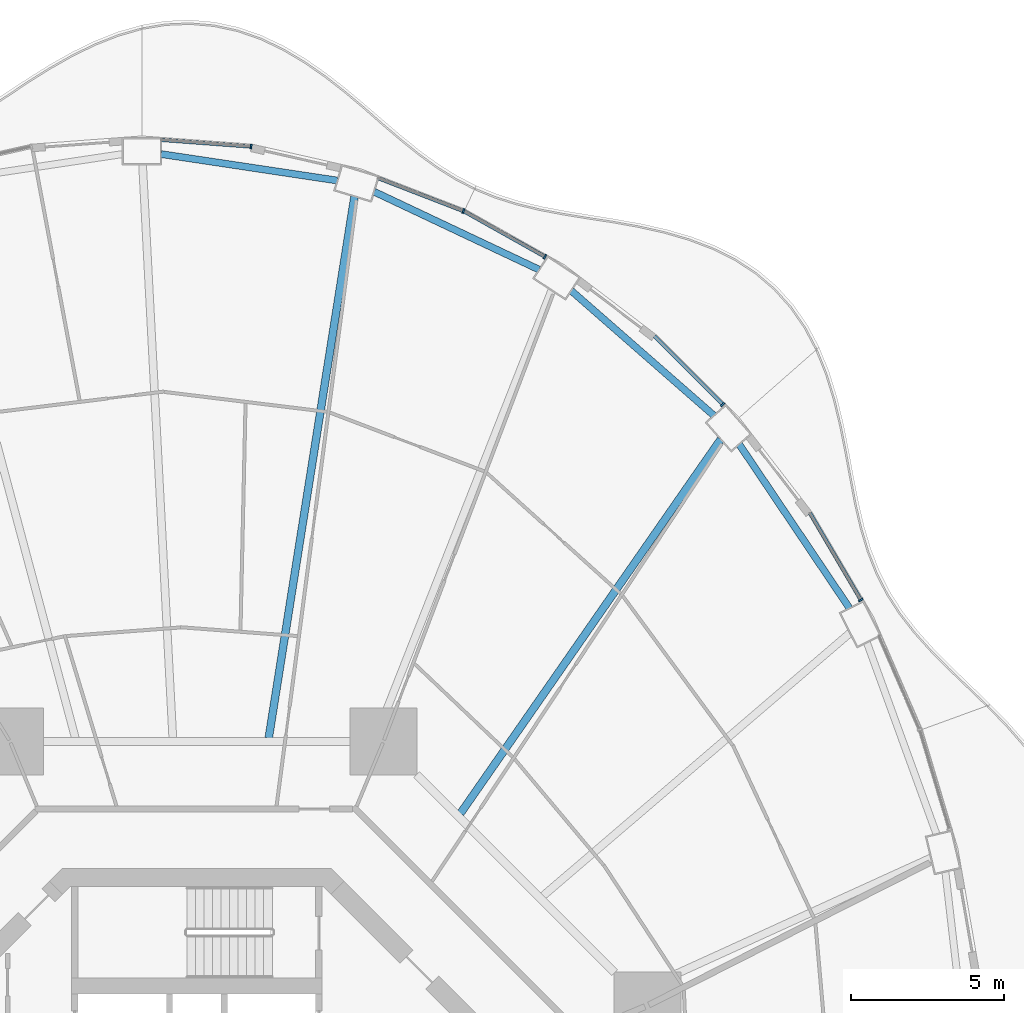
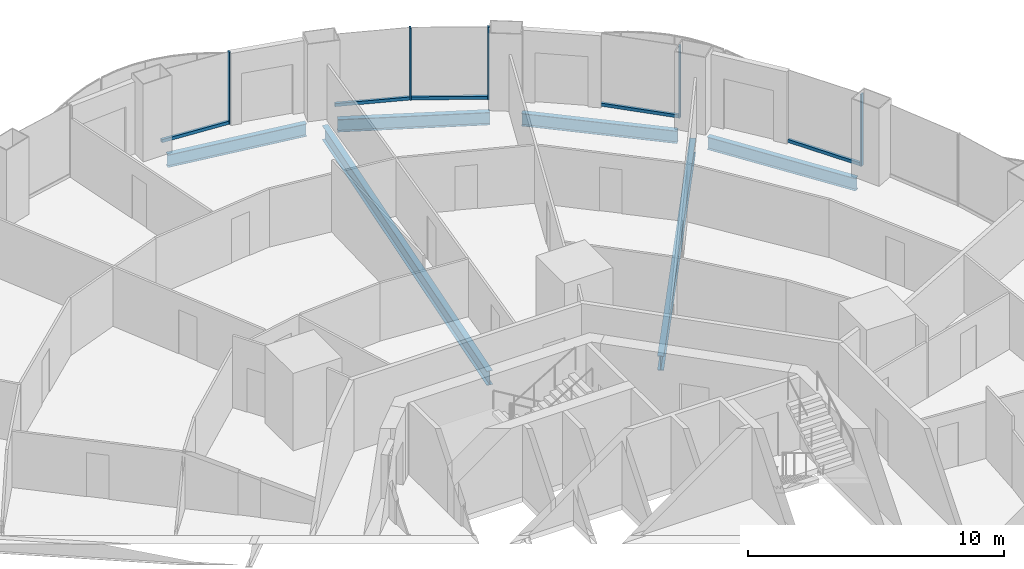
# One storey, part 11 of 22: 10 members, 6 beams, 5 elements without a shape of their own.
"""IFC4 building model written with IfcOpenShell, lengths in metres."""

from ifc_helpers import new_model, si_unit, direction, frame, origin, origin_2d, place, context, subcontext, project, spatial, rectangle, i_section, extrude, material, layer, layer_set, material_profile, profile_set, type_object, element, aggregate, save


model = new_model("IFC4")

# Units and contexts
model_context = context("Model", 3, precision=1e-05, world=origin(), true_north=direction((0.0, 1.0)))
body_context = subcontext(model_context, "Body", "Model", "MODEL_VIEW")
ifc_project = project(units=[si_unit("LENGTHUNIT", "METRE"), si_unit("AREAUNIT", "SQUARE_METRE"), si_unit("VOLUMEUNIT", "CUBIC_METRE"), si_unit("PLANEANGLEUNIT", "RADIAN"), si_unit("MASSUNIT", "GRAM", prefix="KILO")], contexts=[model_context])

# Site, building, storey
site_placement = place(None, origin())
site = spatial("IfcSite", under=ifc_project, at=site_placement, CompositionType="ELEMENT")
building_placement = place(site_placement, origin())
building = spatial("IfcBuilding", under=site, at=building_placement, Name="Nagisa Residences", CompositionType="ELEMENT")
storey_placement = place(building_placement, frame((0.0, 0.0, 77.0)))
storey = spatial("IfcBuildingStorey", under=building, at=storey_placement, Name="L18", CompositionType="ELEMENT", Elevation=77.0)

# Curtain wall, member
ifc_material_1 = material(Name="Concrete-coloured aluminium curtain wall system", Category="concrete")
ifc_layer = layer(ifc_material_1, 0.159912109375)
ifc_layer_set = layer_set([ifc_layer], Name="CW1 CURTAIN WALL")
curtain_wall_type = type_object("IfcCurtainWallType", Name="CW1 CURTAIN WALL", PredefinedType="NOTDEFINED", material=ifc_layer_set)
curtain_wall_1_placement = place(storey_placement, origin())
curtain_wall_1 = element("IfcCurtainWall", 1, at=curtain_wall_1_placement, inside=storey, type_object=curtain_wall_type, Name="cw:CW1:L18:04", PredefinedType="NOTDEFINED")
ifc_material_2 = material(Name="Concrete-coloured aluminium", Category="concrete")
ifc_material_profile_1 = material_profile(ifc_material_2, rectangle(XDim=0.159912109375, YDim=0.06005859375, at=origin_2d()), Name="CW1 MULLION 160x60")
ifc_profile_set_1 = profile_set([ifc_material_profile_1], Name="Concrete-coloured aluminium")
member_type_1 = type_object("IfcMemberType", Name="CW1 MULLION 160x60", PredefinedType="MULLION", material=ifc_profile_set_1)
member_1_placement = place(storey_placement, frame((21.771240234375, 19.421142578125, 0.0), z_axis=(0.0, 0.0, 1.0), x_axis=(-0.862328898214, -0.506348567002, 0.0)))
member_1 = element("IfcMember", 2, at=member_1_placement, type_object=member_type_1, Name="CW1 mullion", PredefinedType="MULLION", context=body_context, shape_type="SweptSolid", body=[
    extrude(rectangle(XDim=0.159912109375, YDim=0.06005859375, at=origin_2d()), origin(), (0.0, 0.0, 1.0), 3.43994140625),
])

curtain_wall_2_placement = place(storey_placement, origin())
curtain_wall_2 = element("IfcCurtainWall", 3, at=curtain_wall_2_placement, inside=storey, type_object=curtain_wall_type, Name="cw:CW1:L18:06", PredefinedType="NOTDEFINED")
member_2_placement = place(storey_placement, frame((17.24560546875, 25.825927734375, 0.0), z_axis=(0.0, 0.0, 1.0), x_axis=(-0.706376885714, -0.707835924016, 0.0)))
member_2 = element("IfcMember", 4, at=member_2_placement, type_object=member_type_1, Name="CW1 mullion", PredefinedType="MULLION", context=body_context, shape_type="SweptSolid", body=[
    extrude(rectangle(XDim=0.159912109375, YDim=0.06005859375, at=origin_2d()), origin(), (0.0, 0.0, 1.0), 3.43994140625),
])

curtain_wall_3_placement = place(storey_placement, origin())
curtain_wall_3 = element("IfcCurtainWall", 5, at=curtain_wall_3_placement, inside=storey, type_object=curtain_wall_type, Name="cw:CW1:L18:08", PredefinedType="NOTDEFINED")
member_3_placement = place(storey_placement, frame((11.415283203125, 30.673583984375, 0.0), z_axis=(0.0, 0.0, 1.0), x_axis=(-0.489376918501, -0.872072377523, 0.0)))
member_3 = element("IfcMember", 6, at=member_3_placement, type_object=member_type_1, Name="CW1 mullion", PredefinedType="MULLION", context=body_context, shape_type="SweptSolid", body=[
    extrude(rectangle(XDim=0.159912109375, YDim=0.06005859375, at=origin_2d()), origin(), (0.0, 0.0, 1.0), 3.43994140625),
])

curtain_wall_4_placement = place(storey_placement, origin())
curtain_wall_4 = element("IfcCurtainWall", 7, at=curtain_wall_4_placement, inside=storey, type_object=curtain_wall_type, Name="cw:CW1:L18:09", PredefinedType="NOTDEFINED")
member_4_placement = place(storey_placement, frame((8.74169921875, 32.169921875, 0.0), z_axis=(0.0, 0.0, 1.0), x_axis=(-0.360327770268, -0.932825759707, 0.0)))
member_4 = element("IfcMember", 8, at=member_4_placement, type_object=member_type_1, Name="CW1 mullion", PredefinedType="MULLION", context=body_context, shape_type="SweptSolid", body=[
    extrude(rectangle(XDim=0.159912109375, YDim=0.06005859375, at=origin_2d()), origin(), (0.0, 0.0, 1.0), 3.43994140625),
])

curtain_wall_5_placement = place(storey_placement, origin())
curtain_wall_5 = element("IfcCurtainWall", 9, at=curtain_wall_5_placement, inside=storey, type_object=curtain_wall_type, Name="cw:CW1:L18:11", PredefinedType="NOTDEFINED")
member_5_placement = place(storey_placement, frame((1.779052734375, 34.28564453125, 0.0), z_axis=(0.0, 0.0, 1.0), x_axis=(-0.074377355493, -0.997230168512, 0.0)))
member_5 = element("IfcMember", 10, at=member_5_placement, type_object=member_type_1, Name="CW1 mullion", PredefinedType="MULLION", context=body_context, shape_type="SweptSolid", body=[
    extrude(rectangle(XDim=0.159912109375, YDim=0.06005859375, at=origin_2d()), origin(), (0.0, 0.0, 1.0), 3.43994140625),
])

# Member
ifc_material_3 = material(Name="Concrete-coloured aluminium", Category="concrete")
ifc_material_profile_2 = material_profile(ifc_material_3, rectangle(XDim=0.1201171875, YDim=0.14990234375, at=origin_2d()), Name="CW1 TRANSOM 120x150")
ifc_profile_set_2 = profile_set([ifc_material_profile_2], Name="Concrete-coloured aluminium")
member_type_2 = type_object("IfcMemberType", Name="CW1 TRANSOM 120x150", PredefinedType="USERDEFINED", material=ifc_profile_set_2)
member_6_placement = place(storey_placement, frame((21.786376953125, 19.395263671875, 0.074951171875), z_axis=(-0.506329983076, 0.86233981019, 0.0), x_axis=(-0.86233981019, -0.506329983076, 0.0)))
member_6 = element("IfcMember", 11, at=member_6_placement, type_object=member_type_2, Name="CW1 transom", ObjectType="TRANSOM", PredefinedType="USERDEFINED", context=body_context, shape_type="SweptSolid", body=[
    extrude(rectangle(XDim=0.1201171875, YDim=0.14990234375, at=origin_2d()), origin(), (0.0, 0.0, 1.0), 3.32470703125),
])

aggregate(curtain_wall_1, [member_1, member_6])

member_7_placement = place(storey_placement, frame((17.2666015625, 25.8046875, 0.074951171875), z_axis=(-0.707831724839, 0.70638109354, 0.0), x_axis=(-0.70638109354, -0.707831724839, 0.0)))
member_7 = element("IfcMember", 12, at=member_7_placement, type_object=member_type_2, Name="CW1 transom", ObjectType="TRANSOM", PredefinedType="USERDEFINED", context=body_context, shape_type="SweptSolid", body=[
    extrude(rectangle(XDim=0.1201171875, YDim=0.14990234375, at=origin_2d()), origin(), (0.0, 0.0, 1.0), 3.19775390625),
])

aggregate(curtain_wall_2, [member_2, member_7])

member_8_placement = place(storey_placement, frame((11.44140625, 30.65869140625, 0.074951171875), z_axis=(-0.872037280335, 0.489439456631, 0.0), x_axis=(-0.489439456631, -0.872037280335, 0.0)))
member_8 = element("IfcMember", 13, at=member_8_placement, type_object=member_type_2, Name="CW1 transom", ObjectType="TRANSOM", PredefinedType="USERDEFINED", context=body_context, shape_type="SweptSolid", body=[
    extrude(rectangle(XDim=0.1201171875, YDim=0.14990234375, at=origin_2d()), origin(), (0.0, 0.0, 1.0), 3.07568359375),
])

aggregate(curtain_wall_3, [member_3, member_8])

member_9_placement = place(storey_placement, frame((8.76953125, 32.1591796875, 0.074951171875), z_axis=(-0.932827091302, 0.360324322982, 0.0), x_axis=(-0.360324322982, -0.932827091302, 0.0)))
member_9 = element("IfcMember", 14, at=member_9_placement, type_object=member_type_2, Name="CW1 transom", ObjectType="TRANSOM", PredefinedType="USERDEFINED", context=body_context, shape_type="SweptSolid", body=[
    extrude(rectangle(XDim=0.1201171875, YDim=0.14990234375, at=origin_2d()), origin(), (0.0, 0.0, 1.0), 3.02734375),
])

aggregate(curtain_wall_4, [member_4, member_9])

member_10_placement = place(storey_placement, frame((1.80908203125, 34.283203125, 0.074951171875), z_axis=(-0.997226174467, 0.074430887117, 0.0), x_axis=(-0.074430887117, -0.997226174467, 0.0)))
member_10 = element("IfcMember", 15, at=member_10_placement, type_object=member_type_2, Name="CW1 transom", ObjectType="TRANSOM", PredefinedType="USERDEFINED", context=body_context, shape_type="SweptSolid", body=[
    extrude(rectangle(XDim=0.1201171875, YDim=0.14990234375, at=origin_2d()), origin(), (0.0, 0.0, 1.0), 2.97509765625),
])

aggregate(curtain_wall_5, [member_5, member_10])

# Beams
ifc_material_4 = material(Name="Steel ASTM A572 Gr 50", Category="steel")
ifc_material_profile_3 = material_profile(ifc_material_4, i_section(OverallWidth=0.22802734375, OverallDepth=0.60302734375, WebThickness=0.010498046875, FlangeThickness=0.014892578125, at=origin_2d()), Name="W610x101")
ifc_profile_set_3 = profile_set([ifc_material_profile_3], Name="Steel ASTM A572 Gr 50")
beam_type_1 = type_object("IfcBeamType", Name="Perimeter ring beam W610x101", PredefinedType="BEAM", material=ifc_profile_set_3)
beam_1_placement = place(storey_placement, frame((21.397216796875, 19.152099609375, -0.5615234375), z_axis=(-0.55824704812, 0.829674775599, 0.0), x_axis=(-0.829674775599, -0.55824704812, 0.0)))
element("IfcBeam", 16, at=beam_1_placement, inside=storey, type_object=beam_type_1, Name="beam:L18:pb03", PredefinedType="BEAM", context=body_context, shape_type="SweptSolid", body=[
    extrude(i_section(OverallWidth=0.22802734375, OverallDepth=0.60302734375, WebThickness=0.010498046875, FlangeThickness=0.014892578125, at=origin_2d()), origin(), (0.0, 0.0, 1.0), 6.4716796875),
])
beam_2_placement = place(storey_placement, frame((16.951416015625, 25.46728515625, -0.5615234375), z_axis=(-0.752525569707, 0.658563031863, 0.0), x_axis=(-0.658563031863, -0.752525569707, 0.0)))
element("IfcBeam", 17, at=beam_2_placement, inside=storey, type_object=beam_type_1, Name="beam:L18:pb04", PredefinedType="BEAM", context=body_context, shape_type="SweptSolid", body=[
    extrude(i_section(OverallWidth=0.22802734375, OverallDepth=0.60302734375, WebThickness=0.010498046875, FlangeThickness=0.014892578125, at=origin_2d()), origin(), (0.0, 0.0, 1.0), 6.21240234375),
])
beam_3_placement = place(storey_placement, frame((11.22216796875, 30.249267578125, -0.5615234375), z_axis=(-0.904196975776, 0.427115709144, 0.0), x_axis=(-0.427115709144, -0.904196975776, 0.0)))
element("IfcBeam", 18, at=beam_3_placement, inside=storey, type_object=beam_type_1, Name="beam:L18:pb05", PredefinedType="BEAM", context=body_context, shape_type="SweptSolid", body=[
    extrude(i_section(OverallWidth=0.22802734375, OverallDepth=0.60302734375, WebThickness=0.010498046875, FlangeThickness=0.014892578125, at=origin_2d()), origin(), (0.0, 0.0, 1.0), 5.980712890625),
])
beam_4_placement = place(storey_placement, frame((4.608642578125, 33.17041015625, -0.5615234375), z_axis=(-0.988913048607, 0.148495731568, 0.0), x_axis=(-0.148495731568, -0.988913048607, 0.0)))
element("IfcBeam", 19, at=beam_4_placement, inside=storey, type_object=beam_type_1, Name="beam:L18:pb06", PredefinedType="BEAM", context=body_context, shape_type="SweptSolid", body=[
    extrude(i_section(OverallWidth=0.22802734375, OverallDepth=0.60302734375, WebThickness=0.010498046875, FlangeThickness=0.014892578125, at=origin_2d()), origin(), (0.0, 0.0, 1.0), 5.843017578125),
])
ifc_material_5 = material(Name="Steel ASTM A572 Gr 50", Category="steel")
ifc_material_profile_4 = material_profile(ifc_material_5, i_section(OverallWidth=0.2529296875, OverallDepth=0.677978515625, WebThickness=0.01171875, FlangeThickness=0.016357421875, at=origin_2d()), Name="W690x125")
ifc_profile_set_4 = profile_set([ifc_material_profile_4], Name="Steel ASTM A572 Gr 50")
beam_type_2 = type_object("IfcBeamType", Name="Radial beam W690x125", PredefinedType="BEAM", material=ifc_profile_set_4)
beam_5_placement = place(storey_placement, frame((17.176513671875, 24.6845703125, -0.59912109375), z_axis=(-0.571167903467, -0.820833251062, 0.0), x_axis=(0.820833251062, -0.571167903467, 0.0)))
element("IfcBeam", 20, at=beam_5_placement, inside=storey, type_object=beam_type_2, Name="beam:L18:rb04", PredefinedType="BEAM", context=body_context, shape_type="SweptSolid", body=[
    extrude(i_section(OverallWidth=0.2529296875, OverallDepth=0.677978515625, WebThickness=0.01171875, FlangeThickness=0.016357421875, at=origin_2d()), origin(), (0.0, 0.0, 1.0), 14.93994140625),
])
beam_6_placement = place(storey_placement, frame((5.170654296875, 32.64697265625, -0.59912109375), z_axis=(-0.156426410961, -0.987689616202, 0.0), x_axis=(0.987689616202, -0.156426410961, 0.0)))
element("IfcBeam", 21, at=beam_6_placement, inside=storey, type_object=beam_type_2, Name="beam:L18:rb06", PredefinedType="BEAM", context=body_context, shape_type="SweptSolid", body=[
    extrude(i_section(OverallWidth=0.2529296875, OverallDepth=0.677978515625, WebThickness=0.01171875, FlangeThickness=0.016357421875, at=origin_2d()), origin(), (0.0, 0.0, 1.0), 17.973388671875),
])

save(model, "model.ifc")
